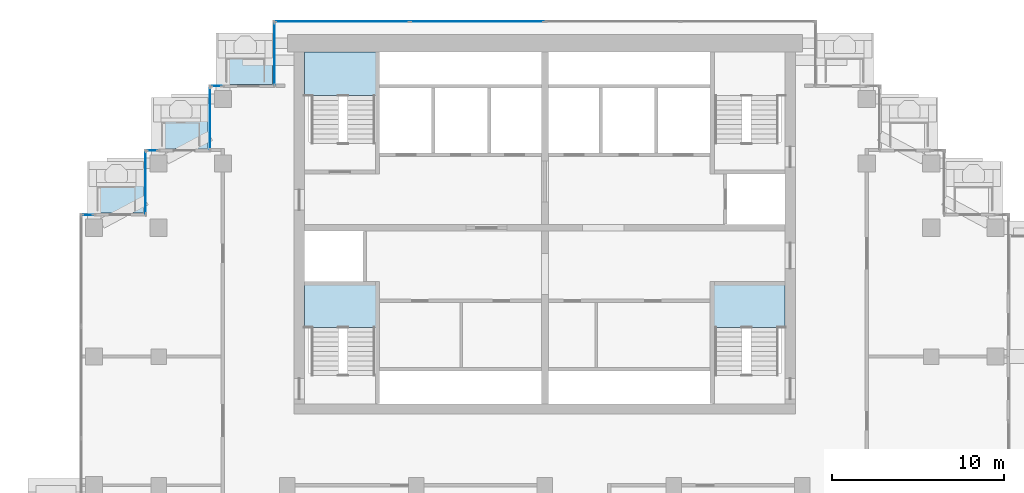
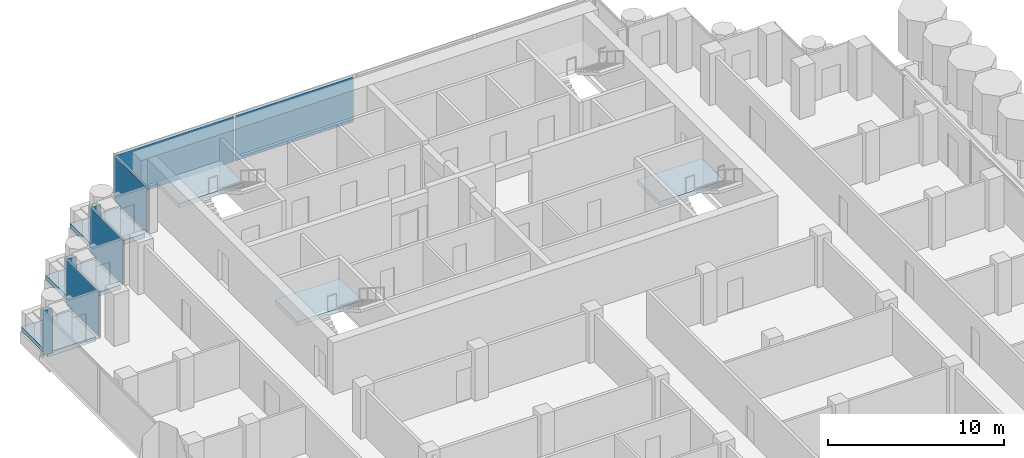
# One storey, part 9 of 18: 8 plates, 6 slabs, 10 elements without a shape of their own.
"""IFC4 building model written with IfcOpenShell, lengths in metres."""

from ifc_helpers import new_model, si_unit, direction, frame, origin, origin_2d, place, context, subcontext, project, spatial, polyline, rectangle, outline, extrude, material, layer, layer_set, type_object, element, aggregate, save


model = new_model("IFC4")

# Units and contexts
model_context = context("Model", 3, precision=1e-05, world=origin(), true_north=direction((0.0, 1.0)))
body_context = subcontext(model_context, "Body", "Model", "MODEL_VIEW")
ifc_project = project(units=[si_unit("LENGTHUNIT", "METRE"), si_unit("AREAUNIT", "SQUARE_METRE"), si_unit("VOLUMEUNIT", "CUBIC_METRE"), si_unit("PLANEANGLEUNIT", "RADIAN"), si_unit("MASSUNIT", "GRAM", prefix="KILO")], contexts=[model_context])

# Site, building, storey
site_placement = place(None, origin())
site = spatial("IfcSite", under=ifc_project, at=site_placement, CompositionType="ELEMENT")
building_placement = place(site_placement, origin())
building = spatial("IfcBuilding", under=site, at=building_placement, Name="Pilkhan Gate Tower", CompositionType="ELEMENT")
storey_placement = place(building_placement, frame((0.0, 0.0, 203.10009765625)))
storey = spatial("IfcBuildingStorey", under=building, at=storey_placement, Name="L52", CompositionType="ELEMENT", Elevation=203.10009765625)

# Slabs
ifc_material_1 = material(Name="Concrete C60/75", Category="concrete")
ifc_layer_1 = layer(ifc_material_1, 0.300048828125)
ifc_layer_set_1 = layer_set([ifc_layer_1], Name="Balcony tray slab TR300")
slab_type_1 = type_object("IfcSlabType", Name="Balcony tray slab TR300", PredefinedType="FLOOR", material=ifc_layer_set_1)
slab_1_placement = place(storey_placement, frame((0.0, 0.0, -0.300048828125)))
element("IfcSlab", 1, at=slab_1_placement, inside=storey, type_object=slab_type_1, Name="Balcony tray L52 N", PredefinedType="FLOOR", context=body_context, shape_type="SweptSolid", body=[
    extrude(outline(polyline([(59.14990234375, 90.85009765625), (59.14990234375, 93.85009765625), (55.949951171875, 93.85009765625), (55.949951171875, 90.85009765625), (59.14990234375, 90.85009765625)])), origin(), (0.0, 0.0, 1.0), 0.300048828125),
])
slab_2_placement = place(storey_placement, frame((0.0, 0.0, -0.300048828125)))
element("IfcSlab", 2, at=slab_2_placement, inside=storey, type_object=slab_type_1, Name="Balcony tray L52 N", PredefinedType="FLOOR", context=body_context, shape_type="SweptSolid", body=[
    extrude(outline(polyline([(55.3798828125, 87.1201171875), (55.3798828125, 90.10009765625), (52.199951171875, 90.10009765625), (52.199951171875, 87.1201171875), (55.3798828125, 87.1201171875)])), origin(), (0.0, 0.0, 1.0), 0.300048828125),
])
slab_3_placement = place(storey_placement, frame((0.0, 0.0, -0.300048828125)))
element("IfcSlab", 3, at=slab_3_placement, inside=storey, type_object=slab_type_1, Name="Balcony tray L52 N", PredefinedType="FLOOR", context=body_context, shape_type="SweptSolid", body=[
    extrude(outline(polyline([(51.6298828125, 83.3701171875), (51.6298828125, 86.35009765625), (48.449951171875, 86.35009765625), (48.449951171875, 83.3701171875), (51.6298828125, 83.3701171875)])), origin(), (0.0, 0.0, 1.0), 0.300048828125),
])

# Curtain wall, plates
ifc_material_2 = material(Name="Pale anodised aluminium, clear low-iron double glazing", Category="aluminium")
curtain_wall_type = type_object("IfcCurtainWallType", Name="Office unitised curtain wall CW-O2", PredefinedType="USERDEFINED", material=ifc_material_2)
curtain_wall_1_placement = place(storey_placement, origin())
curtain_wall_1 = element("IfcCurtainWall", 4, at=curtain_wall_1_placement, inside=storey, type_object=curtain_wall_type, Name="Office unitised curtain wall CW-O2 L52 N", ObjectType="UNITISED CURTAIN WALL", PredefinedType="USERDEFINED")
ifc_material_3 = material(Name="Clear low-iron double glazing", Category="glass")
ifc_layer_2 = layer(ifc_material_3, 0.031982421875)
ifc_layer_set_2 = layer_set([ifc_layer_2], Name="Glass panel CW-O2 32")
plate_type = type_object("IfcPlateType", Name="Glass panel CW-O2 32", PredefinedType="CURTAIN_PANEL", material=ifc_layer_set_2)
plate_1_placement = place(storey_placement, frame((63.203857421875, 94.5, 0.0), z_axis=(0.0, 0.0, 1.0), x_axis=(1.0, 0.0, 0.0)))
plate_1 = element("IfcPlate", 5, at=plate_1_placement, type_object=plate_type, Name="CW-O2 panel 1", PredefinedType="CURTAIN_PANEL", context=body_context, shape_type="SweptSolid", body=[
    extrude(rectangle(XDim=7.777587890625, YDim=0.031982421875, at=origin_2d()), origin(), (0.0, 0.0, 1.0), 3.135009765625),
])
plate_2_placement = place(storey_placement, frame((71.046142578125, 94.5, 0.0), z_axis=(0.0, 0.0, 1.0), x_axis=(1.0, 0.0, 0.0)))
plate_2 = element("IfcPlate", 6, at=plate_2_placement, type_object=plate_type, Name="CW-O2 panel 2", PredefinedType="CURTAIN_PANEL", context=body_context, shape_type="SweptSolid", body=[
    extrude(rectangle(XDim=7.777587890625, YDim=0.031982421875, at=origin_2d()), origin(), (0.0, 0.0, 1.0), 3.135009765625),
])
aggregate(curtain_wall_1, [plate_1, plate_2])

# Curtain wall, plate
curtain_wall_2_placement = place(storey_placement, origin())
curtain_wall_2 = element("IfcCurtainWall", 7, at=curtain_wall_2_placement, inside=storey, type_object=curtain_wall_type, Name="Office unitised curtain wall CW-O2 L52 W", ObjectType="UNITISED CURTAIN WALL", PredefinedType="USERDEFINED")
plate_3_placement = place(storey_placement, frame((59.25, 92.625, 0.0), z_axis=(0.0, 0.0, 1.0), x_axis=(0.0, 1.0, 0.0)))
plate_3 = element("IfcPlate", 8, at=plate_3_placement, type_object=plate_type, Name="CW-O2 panel 1", PredefinedType="CURTAIN_PANEL", context=body_context, shape_type="SweptSolid", body=[
    extrude(rectangle(XDim=3.6201171875, YDim=0.031982421875, at=origin_2d()), origin(), (0.0, 0.0, 1.0), 3.135009765625),
])
aggregate(curtain_wall_2, [plate_3])

curtain_wall_3_placement = place(storey_placement, origin())
curtain_wall_3 = element("IfcCurtainWall", 9, at=curtain_wall_3_placement, inside=storey, type_object=curtain_wall_type, Name="Office unitised curtain wall CW-O2 L52 N", ObjectType="UNITISED CURTAIN WALL", PredefinedType="USERDEFINED")
plate_4_placement = place(storey_placement, frame((55.875, 90.75, 0.0), z_axis=(0.0, 0.0, 1.0), x_axis=(1.0, 0.0, 0.0)))
plate_4 = element("IfcPlate", 10, at=plate_4_placement, type_object=plate_type, Name="CW-O2 panel 1", PredefinedType="CURTAIN_PANEL", context=body_context, shape_type="SweptSolid", body=[
    extrude(rectangle(XDim=0.6201171875, YDim=0.031982421875, at=origin_2d()), origin(), (0.0, 0.0, 1.0), 3.135009765625),
])
aggregate(curtain_wall_3, [plate_4])

curtain_wall_4_placement = place(storey_placement, origin())
curtain_wall_4 = element("IfcCurtainWall", 11, at=curtain_wall_4_placement, inside=storey, type_object=curtain_wall_type, Name="Office unitised curtain wall CW-O2 L52 W", ObjectType="UNITISED CURTAIN WALL", PredefinedType="USERDEFINED")
plate_5_placement = place(storey_placement, frame((55.5, 88.875, 0.0), z_axis=(0.0, 0.0, 1.0), x_axis=(0.0, 1.0, 0.0)))
plate_5 = element("IfcPlate", 12, at=plate_5_placement, type_object=plate_type, Name="CW-O2 panel 1", PredefinedType="CURTAIN_PANEL", context=body_context, shape_type="SweptSolid", body=[
    extrude(rectangle(XDim=3.6201171875, YDim=0.031982421875, at=origin_2d()), origin(), (0.0, 0.0, 1.0), 3.135009765625),
])
aggregate(curtain_wall_4, [plate_5])

curtain_wall_5_placement = place(storey_placement, origin())
curtain_wall_5 = element("IfcCurtainWall", 13, at=curtain_wall_5_placement, inside=storey, type_object=curtain_wall_type, Name="Office unitised curtain wall CW-O2 L52 N", ObjectType="UNITISED CURTAIN WALL", PredefinedType="USERDEFINED")
plate_6_placement = place(storey_placement, frame((52.125, 87.0, 0.0), z_axis=(0.0, 0.0, 1.0), x_axis=(1.0, 0.0, 0.0)))
plate_6 = element("IfcPlate", 14, at=plate_6_placement, type_object=plate_type, Name="CW-O2 panel 1", PredefinedType="CURTAIN_PANEL", context=body_context, shape_type="SweptSolid", body=[
    extrude(rectangle(XDim=0.6201171875, YDim=0.031982421875, at=origin_2d()), origin(), (0.0, 0.0, 1.0), 3.135009765625),
])
aggregate(curtain_wall_5, [plate_6])

curtain_wall_6_placement = place(storey_placement, origin())
curtain_wall_6 = element("IfcCurtainWall", 15, at=curtain_wall_6_placement, inside=storey, type_object=curtain_wall_type, Name="Office unitised curtain wall CW-O2 L52 W", ObjectType="UNITISED CURTAIN WALL", PredefinedType="USERDEFINED")
plate_7_placement = place(storey_placement, frame((51.75, 85.125, 0.0), z_axis=(0.0, 0.0, 1.0), x_axis=(0.0, 1.0, 0.0)))
plate_7 = element("IfcPlate", 16, at=plate_7_placement, type_object=plate_type, Name="CW-O2 panel 1", PredefinedType="CURTAIN_PANEL", context=body_context, shape_type="SweptSolid", body=[
    extrude(rectangle(XDim=3.6201171875, YDim=0.031982421875, at=origin_2d()), origin(), (0.0, 0.0, 1.0), 3.135009765625),
])
aggregate(curtain_wall_6, [plate_7])

curtain_wall_7_placement = place(storey_placement, origin())
curtain_wall_7 = element("IfcCurtainWall", 17, at=curtain_wall_7_placement, inside=storey, type_object=curtain_wall_type, Name="Office unitised curtain wall CW-O2 L52 N", ObjectType="UNITISED CURTAIN WALL", PredefinedType="USERDEFINED")
plate_8_placement = place(storey_placement, frame((48.375, 83.25, 0.0), z_axis=(0.0, 0.0, 1.0), x_axis=(1.0, 0.0, 0.0)))
plate_8 = element("IfcPlate", 18, at=plate_8_placement, type_object=plate_type, Name="CW-O2 panel 1", PredefinedType="CURTAIN_PANEL", context=body_context, shape_type="SweptSolid", body=[
    extrude(rectangle(XDim=0.6201171875, YDim=0.031982421875, at=origin_2d()), origin(), (0.0, 0.0, 1.0), 3.135009765625),
])
aggregate(curtain_wall_7, [plate_8])

# Stair, slab
ifc_material_4 = material(Name="Concrete C40/50 precast", Category="concrete")
stair_type_1 = type_object("IfcStairType", Name="Stair ST1 164x280", PredefinedType="HALF_TURN_STAIR", material=ifc_material_4)
stair_1_placement = place(storey_placement, origin())
stair_1 = element("IfcStair", 19, at=stair_1_placement, inside=storey, type_object=stair_type_1, Name="Stair ST1 L52", PredefinedType="HALF_TURN_STAIR")
ifc_material_5 = material(Name="Concrete C40/50", Category="concrete")
ifc_layer_3 = layer(ifc_material_5, 0.199951171875)
ifc_layer_set_3 = layer_set([ifc_layer_3], Name="Stair landing SL200")
slab_type_2 = type_object("IfcSlabType", Name="Stair landing SL200", PredefinedType="LANDING", material=ifc_layer_set_3)
slab_4_placement = place(storey_placement, frame((0.0, 0.0, 1.5)))
slab_4 = element("IfcSlab", 20, at=slab_4_placement, type_object=slab_type_2, Name="ST1 landing 1", PredefinedType="LANDING", context=body_context, shape_type="SweptSolid", body=[
    extrude(outline(polyline([(89.0, 76.699951171875), (89.0, 79.25), (84.75, 79.25), (84.75, 76.699951171875), (89.0, 76.699951171875)])), origin(), (0.0, 0.0, 1.0), 0.2998046875),
])
aggregate(stair_1, [slab_4])

stair_type_2 = type_object("IfcStairType", Name="Stair ST2 164x280", PredefinedType="HALF_TURN_STAIR", material=ifc_material_4)
stair_2_placement = place(storey_placement, origin())
stair_2 = element("IfcStair", 21, at=stair_2_placement, inside=storey, type_object=stair_type_2, Name="Stair ST2 L52", PredefinedType="HALF_TURN_STAIR")
slab_5_placement = place(storey_placement, frame((0.0, 0.0, 1.5)))
slab_5 = element("IfcSlab", 22, at=slab_5_placement, type_object=slab_type_2, Name="ST2 landing 1", PredefinedType="LANDING", context=body_context, shape_type="SweptSolid", body=[
    extrude(outline(polyline([(65.25, 76.699951171875), (65.25, 79.25), (61.0, 79.25), (61.0, 76.699951171875), (65.25, 76.699951171875)])), origin(), (0.0, 0.0, 1.0), 0.2998046875),
])
aggregate(stair_2, [slab_5])

stair_type_3 = type_object("IfcStairType", Name="Stair ST3 164x280", PredefinedType="HALF_TURN_STAIR", material=ifc_material_4)
stair_3_placement = place(storey_placement, origin())
stair_3 = element("IfcStair", 23, at=stair_3_placement, inside=storey, type_object=stair_type_3, Name="Stair ST3 L52", PredefinedType="HALF_TURN_STAIR")
slab_6_placement = place(storey_placement, frame((0.0, 0.0, 1.5)))
slab_6 = element("IfcSlab", 24, at=slab_6_placement, type_object=slab_type_2, Name="ST3 landing 1", PredefinedType="LANDING", context=body_context, shape_type="SweptSolid", body=[
    extrude(outline(polyline([(65.25, 90.199951171875), (65.25, 92.75), (61.0, 92.75), (61.0, 90.199951171875), (65.25, 90.199951171875)])), origin(), (0.0, 0.0, 1.0), 0.2998046875),
])
aggregate(stair_3, [slab_6])

save(model, "model.ifc")
